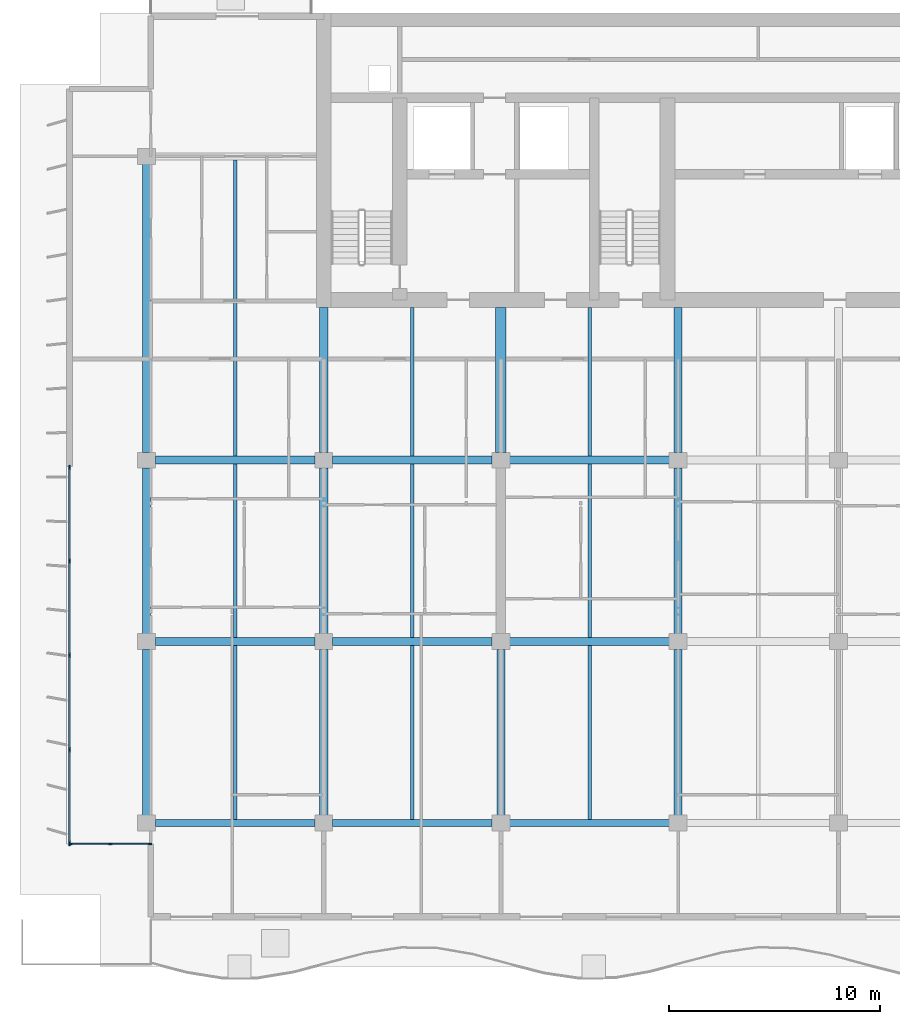
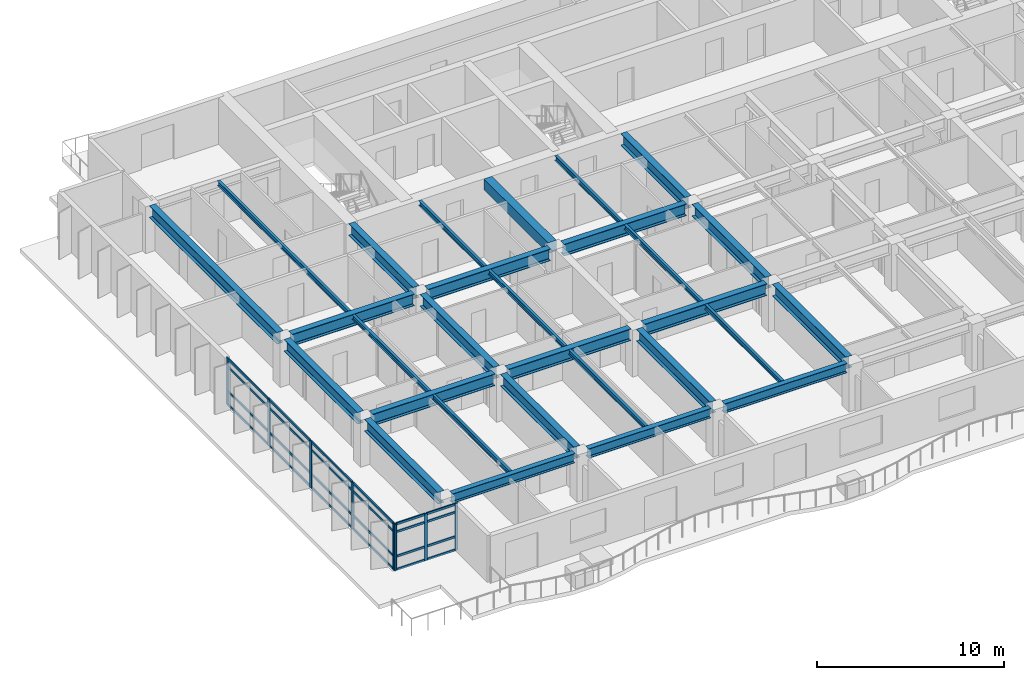
# One storey, part 2 of 17: 32 members, 29 beams, 2 elements without a shape of their own.
"""IFC4 building model written with IfcOpenShell, lengths in metres."""

from ifc_helpers import new_model, si_unit, direction, frame, origin, origin_2d, place, context, subcontext, project, spatial, rectangle, i_section, extrude, material, layer, layer_set, material_profile, profile_set, type_object, element, aggregate, save


model = new_model("IFC4")

# Units and contexts
model_context = context("Model", 3, precision=1e-05, world=origin(), true_north=direction((0.0, 1.0)))
body_context = subcontext(model_context, "Body", "Model", "MODEL_VIEW")
ifc_project = project(units=[si_unit("LENGTHUNIT", "METRE"), si_unit("AREAUNIT", "SQUARE_METRE"), si_unit("VOLUMEUNIT", "CUBIC_METRE"), si_unit("PLANEANGLEUNIT", "RADIAN"), si_unit("MASSUNIT", "GRAM", prefix="KILO")], contexts=[model_context])

# Site, building, storey
site_placement = place(None, origin())
site = spatial("IfcSite", under=ifc_project, at=site_placement, CompositionType="ELEMENT")
building_placement = place(site_placement, origin())
building = spatial("IfcBuilding", under=site, at=building_placement, Name="Caelmar Bay Residences", CompositionType="ELEMENT")
storey_placement = place(building_placement, frame((0.0, 0.0, 157.199951171875)))
storey = spatial("IfcBuildingStorey", under=building, at=storey_placement, Name="L43", CompositionType="ELEMENT", Elevation=157.199951171875)

# Beams
ifc_material_1 = material(Name="Steel ASTM A992 Grade 50", Category="steel")
ifc_material_profile_1 = material_profile(ifc_material_1, i_section(OverallWidth=0.381103515625, OverallDepth=0.77197265625, WebThickness=0.0166015625, FlangeThickness=0.027099609375, FilletRadius=0.0166015625, at=origin_2d()), Name="W30X173")
ifc_profile_set_1 = profile_set([ifc_material_profile_1], Name="Steel ASTM A992 Grade 50")
beam_type_1 = type_object("IfcBeamType", Name="BM-GRD-W30X173", PredefinedType="BEAM", material=ifc_profile_set_1)
beam_1_placement = place(storey_placement, frame((10.31494140625, 20.800048828125, 2.6640625), z_axis=(1.0, 0.0, 0.0), x_axis=(0.0, 1.0, 0.0)))
element("IfcBeam", 1, at=beam_1_placement, inside=storey, type_object=beam_type_1, Name="L43 East-West Girder Y=20.80 (9.9-18.3)", PredefinedType="BEAM", context=body_context, shape_type="SweptSolid", body=[
    extrude(i_section(OverallWidth=0.381103515625, OverallDepth=0.77197265625, WebThickness=0.0166015625, FlangeThickness=0.027099609375, FilletRadius=0.0166015625, at=origin_2d()), origin(), (0.0, 0.0, 1.0), 7.570068359375),
])
beam_2_placement = place(storey_placement, frame((18.715087890625, 20.800048828125, 2.6640625), z_axis=(1.0, 0.0, 0.0), x_axis=(0.0, 1.0, 0.0)))
element("IfcBeam", 2, at=beam_2_placement, inside=storey, type_object=beam_type_1, Name="L43 East-West Girder Y=20.80 (18.3-26.7)", PredefinedType="BEAM", context=body_context, shape_type="SweptSolid", body=[
    extrude(i_section(OverallWidth=0.381103515625, OverallDepth=0.77197265625, WebThickness=0.0166015625, FlangeThickness=0.027099609375, FilletRadius=0.0166015625, at=origin_2d()), origin(), (0.0, 0.0, 1.0), 7.56982421875),
])
for number, where, z_axis, x_axis, name in (
    (3, (27.114990234375, 20.800048828125, 2.6640625), (1.0, 0.0, 0.0), (0.0, 1.0, 0.0), "L43 East-West Girder Y=20.80 (26.7-35.1)"),
    (4, (10.31494140625, 29.39990234375, 2.6640625), (1.0, 0.0, 0.0), (0.0, 1.0, 0.0), "L43 East-West Girder Y=29.40 (9.9-18.3)"),
):
    element("IfcBeam", number, at=place(storey_placement, frame(where, z_axis=z_axis, x_axis=x_axis)), inside=storey, type_object=beam_type_1, Name=name, PredefinedType="BEAM", context=body_context, shape_type="SweptSolid", body=[
        extrude(i_section(OverallWidth=0.381103515625, OverallDepth=0.77197265625, WebThickness=0.0166015625, FlangeThickness=0.027099609375, FilletRadius=0.0166015625, at=origin_2d()), origin(), (0.0, 0.0, 1.0), 7.570068359375),
    ])
beam_3_placement = place(storey_placement, frame((18.715087890625, 29.39990234375, 2.6640625), z_axis=(1.0, 0.0, 0.0), x_axis=(0.0, 1.0, 0.0)))
element("IfcBeam", 5, at=beam_3_placement, inside=storey, type_object=beam_type_1, Name="L43 East-West Girder Y=29.40 (18.3-26.7)", PredefinedType="BEAM", context=body_context, shape_type="SweptSolid", body=[
    extrude(i_section(OverallWidth=0.381103515625, OverallDepth=0.77197265625, WebThickness=0.0166015625, FlangeThickness=0.027099609375, FilletRadius=0.0166015625, at=origin_2d()), origin(), (0.0, 0.0, 1.0), 7.56982421875),
])
beam_4_placement = place(storey_placement, frame((27.114990234375, 29.39990234375, 2.6640625), z_axis=(1.0, 0.0, 0.0), x_axis=(0.0, 1.0, 0.0)))
element("IfcBeam", 6, at=beam_4_placement, inside=storey, type_object=beam_type_1, Name="L43 East-West Girder Y=29.40 (26.7-35.1)", PredefinedType="BEAM", context=body_context, shape_type="SweptSolid", body=[
    extrude(i_section(OverallWidth=0.381103515625, OverallDepth=0.77197265625, WebThickness=0.0166015625, FlangeThickness=0.027099609375, FilletRadius=0.0166015625, at=origin_2d()), origin(), (0.0, 0.0, 1.0), 7.570068359375),
])
beam_5_placement = place(storey_placement, frame((9.89990234375, 12.56494140625, 2.6640625), z_axis=(0.0, 1.0, 0.0), x_axis=(-1.0, 0.0, 0.0)))
element("IfcBeam", 7, at=beam_5_placement, inside=storey, type_object=beam_type_1, Name="L43 North-South Girder X=9.90 (12.2-20.8)", PredefinedType="BEAM", context=body_context, shape_type="SweptSolid", body=[
    extrude(i_section(OverallWidth=0.381103515625, OverallDepth=0.77197265625, WebThickness=0.0166015625, FlangeThickness=0.027099609375, FilletRadius=0.0166015625, at=origin_2d()), origin(), (0.0, 0.0, 1.0), 7.8701171875),
])
beam_6_placement = place(storey_placement, frame((9.89990234375, 21.1650390625, 2.6640625), z_axis=(0.0, 1.0, 0.0), x_axis=(-1.0, 0.0, 0.0)))
element("IfcBeam", 8, at=beam_6_placement, inside=storey, type_object=beam_type_1, Name="L43 North-South Girder X=9.90 (20.8-29.4)", PredefinedType="BEAM", context=body_context, shape_type="SweptSolid", body=[
    extrude(i_section(OverallWidth=0.381103515625, OverallDepth=0.77197265625, WebThickness=0.0166015625, FlangeThickness=0.027099609375, FilletRadius=0.0166015625, at=origin_2d()), origin(), (0.0, 0.0, 1.0), 7.869873046875),
])
beam_7_placement = place(storey_placement, frame((9.89990234375, 29.764892578125, 2.6640625), z_axis=(0.0, 1.0, 0.0), x_axis=(-1.0, 0.0, 0.0)))
element("IfcBeam", 9, at=beam_7_placement, inside=storey, type_object=beam_type_1, Name="L43 North-South Girder X=9.90 (29.4-43.8)", PredefinedType="BEAM", context=body_context, shape_type="SweptSolid", body=[
    extrude(i_section(OverallWidth=0.381103515625, OverallDepth=0.77197265625, WebThickness=0.0166015625, FlangeThickness=0.027099609375, FilletRadius=0.0166015625, at=origin_2d()), origin(), (0.0, 0.0, 1.0), 13.670166015625),
])
beam_8_placement = place(storey_placement, frame((18.300048828125, 29.764892578125, 2.6640625), z_axis=(0.0, 1.0, 0.0), x_axis=(-1.0, 0.0, 0.0)))
element("IfcBeam", 10, at=beam_8_placement, inside=storey, type_object=beam_type_1, Name="L43 Core Tie Girder X=18.30", PredefinedType="BEAM", context=body_context, shape_type="SweptSolid", body=[
    extrude(i_section(OverallWidth=0.381103515625, OverallDepth=0.77197265625, WebThickness=0.0166015625, FlangeThickness=0.027099609375, FilletRadius=0.0166015625, at=origin_2d()), origin(), (0.0, 0.0, 1.0), 6.885009765625),
])
beam_9_placement = place(storey_placement, frame((18.300048828125, 12.56494140625, 2.6640625), z_axis=(0.0, 1.0, 0.0), x_axis=(-1.0, 0.0, 0.0)))
element("IfcBeam", 11, at=beam_9_placement, inside=storey, type_object=beam_type_1, Name="L43 North-South Girder X=18.30 (12.2-20.8)", PredefinedType="BEAM", context=body_context, shape_type="SweptSolid", body=[
    extrude(i_section(OverallWidth=0.381103515625, OverallDepth=0.77197265625, WebThickness=0.0166015625, FlangeThickness=0.027099609375, FilletRadius=0.0166015625, at=origin_2d()), origin(), (0.0, 0.0, 1.0), 7.8701171875),
])
beam_10_placement = place(storey_placement, frame((18.300048828125, 21.1650390625, 2.6640625), z_axis=(0.0, 1.0, 0.0), x_axis=(-1.0, 0.0, 0.0)))
element("IfcBeam", 12, at=beam_10_placement, inside=storey, type_object=beam_type_1, Name="L43 North-South Girder X=18.30 (20.8-29.4)", PredefinedType="BEAM", context=body_context, shape_type="SweptSolid", body=[
    extrude(i_section(OverallWidth=0.381103515625, OverallDepth=0.77197265625, WebThickness=0.0166015625, FlangeThickness=0.027099609375, FilletRadius=0.0166015625, at=origin_2d()), origin(), (0.0, 0.0, 1.0), 7.869873046875),
])
beam_11_placement = place(storey_placement, frame((26.699951171875, 12.56494140625, 2.6640625), z_axis=(0.0, 1.0, 0.0), x_axis=(-1.0, 0.0, 0.0)))
element("IfcBeam", 13, at=beam_11_placement, inside=storey, type_object=beam_type_1, Name="L43 North-South Girder X=26.70 (12.2-20.8)", PredefinedType="BEAM", context=body_context, shape_type="SweptSolid", body=[
    extrude(i_section(OverallWidth=0.381103515625, OverallDepth=0.77197265625, WebThickness=0.0166015625, FlangeThickness=0.027099609375, FilletRadius=0.0166015625, at=origin_2d()), origin(), (0.0, 0.0, 1.0), 7.8701171875),
])
beam_12_placement = place(storey_placement, frame((35.10009765625, 29.764892578125, 2.6640625), z_axis=(0.0, 1.0, 0.0), x_axis=(-1.0, 0.0, 0.0)))
element("IfcBeam", 14, at=beam_12_placement, inside=storey, type_object=beam_type_1, Name="L43 Core Tie Girder X=35.10", PredefinedType="BEAM", context=body_context, shape_type="SweptSolid", body=[
    extrude(i_section(OverallWidth=0.381103515625, OverallDepth=0.77197265625, WebThickness=0.0166015625, FlangeThickness=0.027099609375, FilletRadius=0.0166015625, at=origin_2d()), origin(), (0.0, 0.0, 1.0), 6.885009765625),
])
beam_13_placement = place(storey_placement, frame((35.10009765625, 12.56494140625, 2.6640625), z_axis=(0.0, 1.0, 0.0), x_axis=(-1.0, 0.0, 0.0)))
element("IfcBeam", 15, at=beam_13_placement, inside=storey, type_object=beam_type_1, Name="L43 North-South Girder X=35.10 (12.2-20.8)", PredefinedType="BEAM", context=body_context, shape_type="SweptSolid", body=[
    extrude(i_section(OverallWidth=0.381103515625, OverallDepth=0.77197265625, WebThickness=0.0166015625, FlangeThickness=0.027099609375, FilletRadius=0.0166015625, at=origin_2d()), origin(), (0.0, 0.0, 1.0), 7.8701171875),
])
beam_14_placement = place(storey_placement, frame((35.10009765625, 21.1650390625, 2.6640625), z_axis=(0.0, 1.0, 0.0), x_axis=(-1.0, 0.0, 0.0)))
element("IfcBeam", 16, at=beam_14_placement, inside=storey, type_object=beam_type_1, Name="L43 North-South Girder X=35.10 (20.8-29.4)", PredefinedType="BEAM", context=body_context, shape_type="SweptSolid", body=[
    extrude(i_section(OverallWidth=0.381103515625, OverallDepth=0.77197265625, WebThickness=0.0166015625, FlangeThickness=0.027099609375, FilletRadius=0.0166015625, at=origin_2d()), origin(), (0.0, 0.0, 1.0), 7.869873046875),
])
ifc_material_profile_2 = material_profile(ifc_material_1, i_section(OverallWidth=0.1650390625, OverallDepth=0.31005859375, WebThickness=0.005859375, FlangeThickness=0.009765625, FilletRadius=0.007568359375, at=origin_2d()), Name="W12X26")
ifc_profile_set_2 = profile_set([ifc_material_profile_2], Name="Steel ASTM A992 Grade 50")
beam_type_2 = type_object("IfcBeamType", Name="BM-JST-W12X26", PredefinedType="JOIST", material=ifc_profile_set_2)
for number, where, z_axis, x_axis, name in (
    (17, (14.10009765625, 12.362548828125, 2.89501953125), (0.0, 1.0, 0.0), (-1.0, 0.0, 0.0), "L43 Composite Floor Joist 1"),
    (18, (22.5, 12.362548828125, 2.89501953125), (0.0, 1.0, 0.0), (-1.0, 0.0, 0.0), "L43 Composite Floor Joist 2"),
    (19, (30.89990234375, 12.362548828125, 2.89501953125), (0.0, 1.0, 0.0), (-1.0, 0.0, 0.0), "L43 Composite Floor Joist 3"),
):
    element("IfcBeam", number, at=place(storey_placement, frame(where, z_axis=z_axis, x_axis=x_axis)), inside=storey, type_object=beam_type_2, Name=name, PredefinedType="JOIST", context=body_context, shape_type="SweptSolid", body=[
        extrude(i_section(OverallWidth=0.1650390625, OverallDepth=0.31005859375, WebThickness=0.005859375, FlangeThickness=0.009765625, FilletRadius=0.007568359375, at=origin_2d()), origin(), (0.0, 0.0, 1.0), 8.2470703125),
    ])
for number, where, z_axis, x_axis, name in (
    (20, (14.10009765625, 20.990478515625, 2.89501953125), (0.0, 1.0, 0.0), (-1.0, 0.0, 0.0), "L43 Composite Floor Joist 8"),
    (21, (22.5, 20.990478515625, 2.89501953125), (0.0, 1.0, 0.0), (-1.0, 0.0, 0.0), "L43 Composite Floor Joist 9"),
    (22, (30.89990234375, 20.990478515625, 2.89501953125), (0.0, 1.0, 0.0), (-1.0, 0.0, 0.0), "L43 Composite Floor Joist 10"),
):
    element("IfcBeam", number, at=place(storey_placement, frame(where, z_axis=z_axis, x_axis=x_axis)), inside=storey, type_object=beam_type_2, Name=name, PredefinedType="JOIST", context=body_context, shape_type="SweptSolid", body=[
        extrude(i_section(OverallWidth=0.1650390625, OverallDepth=0.31005859375, WebThickness=0.005859375, FlangeThickness=0.009765625, FilletRadius=0.007568359375, at=origin_2d()), origin(), (0.0, 0.0, 1.0), 8.218994140625),
    ])
for number, where, z_axis, x_axis, name in (
    (23, (22.5, 29.590576171875, 2.89501953125), (0.0, 1.0, 0.0), (-1.0, 0.0, 0.0), "L43 Core-Band Composite Joist 15"),
    (24, (30.89990234375, 29.590576171875, 2.89501953125), (0.0, 1.0, 0.0), (-1.0, 0.0, 0.0), "L43 Core-Band Composite Joist 16"),
):
    element("IfcBeam", number, at=place(storey_placement, frame(where, z_axis=z_axis, x_axis=x_axis)), inside=storey, type_object=beam_type_2, Name=name, PredefinedType="JOIST", context=body_context, shape_type="SweptSolid", body=[
        extrude(i_section(OverallWidth=0.1650390625, OverallDepth=0.31005859375, WebThickness=0.005859375, FlangeThickness=0.009765625, FilletRadius=0.007568359375, at=origin_2d()), origin(), (0.0, 0.0, 1.0), 7.059326171875),
    ])
beam_15_placement = place(storey_placement, frame((14.10009765625, 29.590576171875, 2.89501953125), z_axis=(0.0, 1.0, 0.0), x_axis=(-1.0, 0.0, 0.0)))
element("IfcBeam", 25, at=beam_15_placement, inside=storey, type_object=beam_type_2, Name="L43 Composite Floor Joist 20", PredefinedType="JOIST", context=body_context, shape_type="SweptSolid", body=[
    extrude(i_section(OverallWidth=0.1650390625, OverallDepth=0.31005859375, WebThickness=0.005859375, FlangeThickness=0.009765625, FilletRadius=0.007568359375, at=origin_2d()), origin(), (0.0, 0.0, 1.0), 14.046875),
])
ifc_material_2 = material(Name="Concrete f'c 55 MPa (8,000 psi)", Category="concrete")
ifc_material_profile_3 = material_profile(ifc_material_2, rectangle(XDim=0.5, YDim=0.699951171875, at=origin_2d()), Name="RC-BM-500X700")
ifc_profile_set_3 = profile_set([ifc_material_profile_3], Name="Concrete f'c 55 MPa (8,000 psi)")
beam_type_3 = type_object("IfcBeamType", Name="BM-RC-500X700", PredefinedType="LINTEL", material=ifc_profile_set_3)
beam_16_placement = place(storey_placement, frame((26.699951171875, 29.764892578125, 2.699951171875), z_axis=(0.0, 1.0, 0.0), x_axis=(-1.0, 0.0, 0.0)))
element("IfcBeam", 26, at=beam_16_placement, inside=storey, type_object=beam_type_3, Name="L43 Shear-Wall Corridor Coupling Lintel W5", PredefinedType="LINTEL", context=body_context, shape_type="SweptSolid", body=[
    extrude(rectangle(XDim=0.5, YDim=0.699951171875, at=origin_2d()), origin(), (0.0, 0.0, 1.0), 6.885009765625),
])
ifc_material_profile_4 = material_profile(ifc_material_1, i_section(OverallWidth=0.324951171875, OverallDepth=0.616943359375, WebThickness=0.013916015625, FlangeThickness=0.021484375, FilletRadius=0.0126953125, at=origin_2d()), Name="W24X117")
ifc_profile_set_4 = profile_set([ifc_material_profile_4], Name="Steel ASTM A992 Grade 50")
beam_type_4 = type_object("IfcBeamType", Name="BM-SPN-W24X117", PredefinedType="SPANDREL", material=ifc_profile_set_4)
beam_17_placement = place(storey_placement, frame((10.31494140625, 12.199951171875, 2.741455078125), z_axis=(1.0, 0.0, 0.0), x_axis=(0.0, 1.0, 0.0)))
element("IfcBeam", 27, at=beam_17_placement, inside=storey, type_object=beam_type_4, Name="L43 East-West Girder Y=12.20 (9.9-18.3)", PredefinedType="SPANDREL", context=body_context, shape_type="SweptSolid", body=[
    extrude(i_section(OverallWidth=0.324951171875, OverallDepth=0.616943359375, WebThickness=0.013916015625, FlangeThickness=0.021484375, FilletRadius=0.0126953125, at=origin_2d()), origin(), (0.0, 0.0, 1.0), 7.570068359375),
])
beam_18_placement = place(storey_placement, frame((18.715087890625, 12.199951171875, 2.741455078125), z_axis=(1.0, 0.0, 0.0), x_axis=(0.0, 1.0, 0.0)))
element("IfcBeam", 28, at=beam_18_placement, inside=storey, type_object=beam_type_4, Name="L43 East-West Girder Y=12.20 (18.3-26.7)", PredefinedType="SPANDREL", context=body_context, shape_type="SweptSolid", body=[
    extrude(i_section(OverallWidth=0.324951171875, OverallDepth=0.616943359375, WebThickness=0.013916015625, FlangeThickness=0.021484375, FilletRadius=0.0126953125, at=origin_2d()), origin(), (0.0, 0.0, 1.0), 7.56982421875),
])
beam_19_placement = place(storey_placement, frame((27.114990234375, 12.199951171875, 2.741455078125), z_axis=(1.0, 0.0, 0.0), x_axis=(0.0, 1.0, 0.0)))
element("IfcBeam", 29, at=beam_19_placement, inside=storey, type_object=beam_type_4, Name="L43 East-West Girder Y=12.20 (26.7-35.1)", PredefinedType="SPANDREL", context=body_context, shape_type="SweptSolid", body=[
    extrude(i_section(OverallWidth=0.324951171875, OverallDepth=0.616943359375, WebThickness=0.013916015625, FlangeThickness=0.021484375, FilletRadius=0.0126953125, at=origin_2d()), origin(), (0.0, 0.0, 1.0), 7.570068359375),
])

# Curtain wall, members
ifc_material_3 = material(Name="Anodised bronze aluminium 6063-T6 and laminated glass", Category="aluminium")
ifc_layer_1 = layer(ifc_material_3, 0.179931640625)
ifc_layer_set_1 = layer_set([ifc_layer_1], Name="Anodised bronze aluminium 6063-T6 and laminated glass")
curtain_wall_type_1 = type_object("IfcCurtainWallType", Name="CW6-NTC", PredefinedType="NOTDEFINED", material=ifc_layer_set_1)
curtain_wall_1_placement = place(storey_placement, origin())
curtain_wall_1 = element("IfcCurtainWall", 30, at=curtain_wall_1_placement, inside=storey, type_object=curtain_wall_type_1, Name="CW6 curtain wall L43", PredefinedType="NOTDEFINED")
ifc_material_4 = material(Name="Anodised bronze aluminium 6063-T6", Category="aluminium")
ifc_material_profile_5 = material_profile(ifc_material_4, rectangle(XDim=0.080078125, YDim=0.179931640625, at=origin_2d()), Name="CWM-80X180")
ifc_profile_set_5 = profile_set([ifc_material_profile_5], Name="Anodised bronze aluminium 6063-T6")
member_type_1 = type_object("IfcMemberType", Name="CWM-180", PredefinedType="MULLION", material=ifc_profile_set_5)
member_1_placement = place(storey_placement, frame((6.2900390625, 11.199951171875, 0.0), z_axis=(0.0, 0.0, 1.0), x_axis=(0.0, 1.0, 0.0)))
member_1 = element("IfcMember", 31, at=member_1_placement, type_object=member_type_1, Name="CW6 mullion 1", PredefinedType="MULLION", context=body_context, shape_type="SweptSolid", body=[
    extrude(rectangle(XDim=0.080078125, YDim=0.179931640625, at=origin_2d()), origin(), (0.0, 0.0, 1.0), 3.050048828125),
])
member_2_placement = place(storey_placement, frame((8.175048828125, 11.199951171875, 0.0), z_axis=(0.0, 0.0, 1.0), x_axis=(0.0, 1.0, 0.0)))
member_2 = element("IfcMember", 32, at=member_2_placement, type_object=member_type_1, Name="CW6 mullion 2", PredefinedType="MULLION", context=body_context, shape_type="SweptSolid", body=[
    extrude(rectangle(XDim=0.080078125, YDim=0.179931640625, at=origin_2d()), origin(), (0.0, 0.0, 1.0), 3.050048828125),
])
member_3_placement = place(storey_placement, frame((10.06005859375, 11.199951171875, 0.0), z_axis=(0.0, 0.0, 1.0), x_axis=(0.0, 1.0, 0.0)))
member_3 = element("IfcMember", 33, at=member_3_placement, type_object=member_type_1, Name="CW6 mullion 3", PredefinedType="MULLION", context=body_context, shape_type="SweptSolid", body=[
    extrude(rectangle(XDim=0.080078125, YDim=0.179931640625, at=origin_2d()), origin(), (0.0, 0.0, 1.0), 3.050048828125),
])

ifc_layer_2 = layer(ifc_material_3, 0.179931640625)
ifc_layer_set_2 = layer_set([ifc_layer_2], Name="Anodised bronze aluminium 6063-T6 and laminated glass")
curtain_wall_type_2 = type_object("IfcCurtainWallType", Name="CW4-Z3", PredefinedType="NOTDEFINED", material=ifc_layer_set_2)
curtain_wall_2_placement = place(storey_placement, origin())
curtain_wall_2 = element("IfcCurtainWall", 34, at=curtain_wall_2_placement, inside=storey, type_object=curtain_wall_type_2, Name="CW4 curtain wall L43", PredefinedType="NOTDEFINED")
ifc_material_profile_6 = material_profile(ifc_material_4, rectangle(XDim=0.080078125, YDim=0.219970703125, at=origin_2d()), Name="CWM-80X220")
ifc_profile_set_6 = profile_set([ifc_material_profile_6], Name="Anodised bronze aluminium 6063-T6")
member_type_2 = type_object("IfcMemberType", Name="CWM-220", PredefinedType="MULLION", material=ifc_profile_set_6)
member_4_placement = place(storey_placement, frame((6.25, 11.239990234375, 0.0), z_axis=(0.0, 0.0, 1.0), x_axis=(-1.0, 0.0, 0.0)))
member_4 = element("IfcMember", 35, at=member_4_placement, type_object=member_type_2, Name="CW4 mullion 1", PredefinedType="MULLION", context=body_context, shape_type="SweptSolid", body=[
    extrude(rectangle(XDim=0.080078125, YDim=0.219970703125, at=origin_2d()), origin(), (0.0, 0.0, 1.0), 3.050048828125),
])
member_5_placement = place(storey_placement, frame((6.25, 15.675048828125, 0.0), z_axis=(0.0, 0.0, 1.0), x_axis=(-1.0, 0.0, 0.0)))
member_5 = element("IfcMember", 36, at=member_5_placement, type_object=member_type_2, Name="CW4 mullion 2", PredefinedType="MULLION", context=body_context, shape_type="SweptSolid", body=[
    extrude(rectangle(XDim=0.080078125, YDim=0.219970703125, at=origin_2d()), origin(), (0.0, 0.0, 1.0), 3.050048828125),
])
member_6_placement = place(storey_placement, frame((6.25, 20.14990234375, 0.0), z_axis=(0.0, 0.0, 1.0), x_axis=(-1.0, 0.0, 0.0)))
member_6 = element("IfcMember", 37, at=member_6_placement, type_object=member_type_2, Name="CW4 mullion 3", PredefinedType="MULLION", context=body_context, shape_type="SweptSolid", body=[
    extrude(rectangle(XDim=0.080078125, YDim=0.219970703125, at=origin_2d()), origin(), (0.0, 0.0, 1.0), 3.050048828125),
])
member_7_placement = place(storey_placement, frame((6.25, 24.625, 0.0), z_axis=(0.0, 0.0, 1.0), x_axis=(-1.0, 0.0, 0.0)))
member_7 = element("IfcMember", 38, at=member_7_placement, type_object=member_type_2, Name="CW4 mullion 4", PredefinedType="MULLION", context=body_context, shape_type="SweptSolid", body=[
    extrude(rectangle(XDim=0.080078125, YDim=0.219970703125, at=origin_2d()), origin(), (0.0, 0.0, 1.0), 3.050048828125),
])
member_8_placement = place(storey_placement, frame((6.25, 29.06005859375, 0.0), z_axis=(0.0, 0.0, 1.0), x_axis=(-1.0, 0.0, 0.0)))
member_8 = element("IfcMember", 39, at=member_8_placement, type_object=member_type_2, Name="CW4 mullion 5", PredefinedType="MULLION", context=body_context, shape_type="SweptSolid", body=[
    extrude(rectangle(XDim=0.080078125, YDim=0.219970703125, at=origin_2d()), origin(), (0.0, 0.0, 1.0), 3.050048828125),
])

# Member
ifc_material_profile_7 = material_profile(ifc_material_4, rectangle(XDim=0.080078125, YDim=0.139892578125, at=origin_2d()), Name="CWT-80X140")
ifc_profile_set_7 = profile_set([ifc_material_profile_7], Name="Anodised bronze aluminium 6063-T6")
member_type_3 = type_object("IfcMemberType", Name="CWT-140", PredefinedType="NOTDEFINED", material=ifc_profile_set_7)
member_9_placement = place(storey_placement, frame((6.330078125, 11.199951171875, 0.0400390625), z_axis=(1.0, 0.0, 0.0), x_axis=(0.0, 1.0, 0.0)))
member_9 = element("IfcMember", 40, at=member_9_placement, type_object=member_type_3, Name="CW6 transom 1.1", ObjectType="TRANSOM", PredefinedType="USERDEFINED", context=body_context, shape_type="SweptSolid", body=[
    extrude(rectangle(XDim=0.080078125, YDim=0.139892578125, at=origin_2d()), origin(), (0.0, 0.0, 1.0), 1.804931640625),
])

member_10_placement = place(storey_placement, frame((6.330078125, 11.199951171875, 0.900146484375), z_axis=(1.0, 0.0, 0.0), x_axis=(0.0, 1.0, 0.0)))
member_10 = element("IfcMember", 41, at=member_10_placement, type_object=member_type_3, Name="CW6 transom 1.2", ObjectType="TRANSOM", PredefinedType="USERDEFINED", context=body_context, shape_type="SweptSolid", body=[
    extrude(rectangle(XDim=0.080078125, YDim=0.139892578125, at=origin_2d()), origin(), (0.0, 0.0, 1.0), 1.804931640625),
])

member_11_placement = place(storey_placement, frame((6.330078125, 11.199951171875, 2.5), z_axis=(1.0, 0.0, 0.0), x_axis=(0.0, 1.0, 0.0)))
member_11 = element("IfcMember", 42, at=member_11_placement, type_object=member_type_3, Name="CW6 transom 1.3", ObjectType="TRANSOM", PredefinedType="USERDEFINED", context=body_context, shape_type="SweptSolid", body=[
    extrude(rectangle(XDim=0.080078125, YDim=0.139892578125, at=origin_2d()), origin(), (0.0, 0.0, 1.0), 1.804931640625),
])

member_12_placement = place(storey_placement, frame((6.330078125, 11.199951171875, 3.010009765625), z_axis=(1.0, 0.0, 0.0), x_axis=(0.0, 1.0, 0.0)))
member_12 = element("IfcMember", 43, at=member_12_placement, type_object=member_type_3, Name="CW6 transom 1.4", ObjectType="TRANSOM", PredefinedType="USERDEFINED", context=body_context, shape_type="SweptSolid", body=[
    extrude(rectangle(XDim=0.080078125, YDim=0.139892578125, at=origin_2d()), origin(), (0.0, 0.0, 1.0), 1.804931640625),
])

member_13_placement = place(storey_placement, frame((8.215087890625, 11.199951171875, 0.0400390625), z_axis=(1.0, 0.0, 0.0), x_axis=(0.0, 1.0, 0.0)))
member_13 = element("IfcMember", 44, at=member_13_placement, type_object=member_type_3, Name="CW6 transom 2.1", ObjectType="TRANSOM", PredefinedType="USERDEFINED", context=body_context, shape_type="SweptSolid", body=[
    extrude(rectangle(XDim=0.080078125, YDim=0.139892578125, at=origin_2d()), origin(), (0.0, 0.0, 1.0), 1.804931640625),
])

member_14_placement = place(storey_placement, frame((8.215087890625, 11.199951171875, 0.900146484375), z_axis=(1.0, 0.0, 0.0), x_axis=(0.0, 1.0, 0.0)))
member_14 = element("IfcMember", 45, at=member_14_placement, type_object=member_type_3, Name="CW6 transom 2.2", ObjectType="TRANSOM", PredefinedType="USERDEFINED", context=body_context, shape_type="SweptSolid", body=[
    extrude(rectangle(XDim=0.080078125, YDim=0.139892578125, at=origin_2d()), origin(), (0.0, 0.0, 1.0), 1.804931640625),
])

member_15_placement = place(storey_placement, frame((8.215087890625, 11.199951171875, 2.5), z_axis=(1.0, 0.0, 0.0), x_axis=(0.0, 1.0, 0.0)))
member_15 = element("IfcMember", 46, at=member_15_placement, type_object=member_type_3, Name="CW6 transom 2.3", ObjectType="TRANSOM", PredefinedType="USERDEFINED", context=body_context, shape_type="SweptSolid", body=[
    extrude(rectangle(XDim=0.080078125, YDim=0.139892578125, at=origin_2d()), origin(), (0.0, 0.0, 1.0), 1.804931640625),
])

member_16_placement = place(storey_placement, frame((8.215087890625, 11.199951171875, 3.010009765625), z_axis=(1.0, 0.0, 0.0), x_axis=(0.0, 1.0, 0.0)))
member_16 = element("IfcMember", 47, at=member_16_placement, type_object=member_type_3, Name="CW6 transom 2.4", ObjectType="TRANSOM", PredefinedType="USERDEFINED", context=body_context, shape_type="SweptSolid", body=[
    extrude(rectangle(XDim=0.080078125, YDim=0.139892578125, at=origin_2d()), origin(), (0.0, 0.0, 1.0), 1.804931640625),
])

aggregate(curtain_wall_1, [member_1, member_2, member_3, member_9, member_10, member_11, member_12, member_13, member_14, member_15, member_16])

member_17_placement = place(storey_placement, frame((6.25, 11.280029296875, 0.0400390625), z_axis=(0.0, 1.0, 0.0), x_axis=(-1.0, 0.0, 0.0)))
member_17 = element("IfcMember", 48, at=member_17_placement, type_object=member_type_3, Name="CW4 transom 1.1", ObjectType="TRANSOM", PredefinedType="USERDEFINED", context=body_context, shape_type="SweptSolid", body=[
    extrude(rectangle(XDim=0.080078125, YDim=0.139892578125, at=origin_2d()), origin(), (0.0, 0.0, 1.0), 4.35498046875),
])

member_18_placement = place(storey_placement, frame((6.25, 11.280029296875, 0.900146484375), z_axis=(0.0, 1.0, 0.0), x_axis=(-1.0, 0.0, 0.0)))
member_18 = element("IfcMember", 49, at=member_18_placement, type_object=member_type_3, Name="CW4 transom 1.2", ObjectType="TRANSOM", PredefinedType="USERDEFINED", context=body_context, shape_type="SweptSolid", body=[
    extrude(rectangle(XDim=0.080078125, YDim=0.139892578125, at=origin_2d()), origin(), (0.0, 0.0, 1.0), 4.35498046875),
])

member_19_placement = place(storey_placement, frame((6.25, 11.280029296875, 2.5), z_axis=(0.0, 1.0, 0.0), x_axis=(-1.0, 0.0, 0.0)))
member_19 = element("IfcMember", 50, at=member_19_placement, type_object=member_type_3, Name="CW4 transom 1.3", ObjectType="TRANSOM", PredefinedType="USERDEFINED", context=body_context, shape_type="SweptSolid", body=[
    extrude(rectangle(XDim=0.080078125, YDim=0.139892578125, at=origin_2d()), origin(), (0.0, 0.0, 1.0), 4.35498046875),
])

member_20_placement = place(storey_placement, frame((6.25, 11.280029296875, 3.010009765625), z_axis=(0.0, 1.0, 0.0), x_axis=(-1.0, 0.0, 0.0)))
member_20 = element("IfcMember", 51, at=member_20_placement, type_object=member_type_3, Name="CW4 transom 1.4", ObjectType="TRANSOM", PredefinedType="USERDEFINED", context=body_context, shape_type="SweptSolid", body=[
    extrude(rectangle(XDim=0.080078125, YDim=0.139892578125, at=origin_2d()), origin(), (0.0, 0.0, 1.0), 4.35498046875),
])

member_21_placement = place(storey_placement, frame((6.25, 15.715087890625, 0.0400390625), z_axis=(0.0, 1.0, 0.0), x_axis=(-1.0, 0.0, 0.0)))
member_21 = element("IfcMember", 52, at=member_21_placement, type_object=member_type_3, Name="CW4 transom 2.1", ObjectType="TRANSOM", PredefinedType="USERDEFINED", context=body_context, shape_type="SweptSolid", body=[
    extrude(rectangle(XDim=0.080078125, YDim=0.139892578125, at=origin_2d()), origin(), (0.0, 0.0, 1.0), 4.39501953125),
])

member_22_placement = place(storey_placement, frame((6.25, 15.715087890625, 0.900146484375), z_axis=(0.0, 1.0, 0.0), x_axis=(-1.0, 0.0, 0.0)))
member_22 = element("IfcMember", 53, at=member_22_placement, type_object=member_type_3, Name="CW4 transom 2.2", ObjectType="TRANSOM", PredefinedType="USERDEFINED", context=body_context, shape_type="SweptSolid", body=[
    extrude(rectangle(XDim=0.080078125, YDim=0.139892578125, at=origin_2d()), origin(), (0.0, 0.0, 1.0), 4.39501953125),
])

member_23_placement = place(storey_placement, frame((6.25, 15.715087890625, 2.5), z_axis=(0.0, 1.0, 0.0), x_axis=(-1.0, 0.0, 0.0)))
member_23 = element("IfcMember", 54, at=member_23_placement, type_object=member_type_3, Name="CW4 transom 2.3", ObjectType="TRANSOM", PredefinedType="USERDEFINED", context=body_context, shape_type="SweptSolid", body=[
    extrude(rectangle(XDim=0.080078125, YDim=0.139892578125, at=origin_2d()), origin(), (0.0, 0.0, 1.0), 4.39501953125),
])

member_24_placement = place(storey_placement, frame((6.25, 15.715087890625, 3.010009765625), z_axis=(0.0, 1.0, 0.0), x_axis=(-1.0, 0.0, 0.0)))
member_24 = element("IfcMember", 55, at=member_24_placement, type_object=member_type_3, Name="CW4 transom 2.4", ObjectType="TRANSOM", PredefinedType="USERDEFINED", context=body_context, shape_type="SweptSolid", body=[
    extrude(rectangle(XDim=0.080078125, YDim=0.139892578125, at=origin_2d()), origin(), (0.0, 0.0, 1.0), 4.39501953125),
])

member_25_placement = place(storey_placement, frame((6.25, 20.18994140625, 0.0400390625), z_axis=(0.0, 1.0, 0.0), x_axis=(-1.0, 0.0, 0.0)))
member_25 = element("IfcMember", 56, at=member_25_placement, type_object=member_type_3, Name="CW4 transom 3.1", ObjectType="TRANSOM", PredefinedType="USERDEFINED", context=body_context, shape_type="SweptSolid", body=[
    extrude(rectangle(XDim=0.080078125, YDim=0.139892578125, at=origin_2d()), origin(), (0.0, 0.0, 1.0), 4.39501953125),
])

member_26_placement = place(storey_placement, frame((6.25, 20.18994140625, 0.900146484375), z_axis=(0.0, 1.0, 0.0), x_axis=(-1.0, 0.0, 0.0)))
member_26 = element("IfcMember", 57, at=member_26_placement, type_object=member_type_3, Name="CW4 transom 3.2", ObjectType="TRANSOM", PredefinedType="USERDEFINED", context=body_context, shape_type="SweptSolid", body=[
    extrude(rectangle(XDim=0.080078125, YDim=0.139892578125, at=origin_2d()), origin(), (0.0, 0.0, 1.0), 4.39501953125),
])

member_27_placement = place(storey_placement, frame((6.25, 20.18994140625, 2.5), z_axis=(0.0, 1.0, 0.0), x_axis=(-1.0, 0.0, 0.0)))
member_27 = element("IfcMember", 58, at=member_27_placement, type_object=member_type_3, Name="CW4 transom 3.3", ObjectType="TRANSOM", PredefinedType="USERDEFINED", context=body_context, shape_type="SweptSolid", body=[
    extrude(rectangle(XDim=0.080078125, YDim=0.139892578125, at=origin_2d()), origin(), (0.0, 0.0, 1.0), 4.39501953125),
])

member_28_placement = place(storey_placement, frame((6.25, 20.18994140625, 3.010009765625), z_axis=(0.0, 1.0, 0.0), x_axis=(-1.0, 0.0, 0.0)))
member_28 = element("IfcMember", 59, at=member_28_placement, type_object=member_type_3, Name="CW4 transom 3.4", ObjectType="TRANSOM", PredefinedType="USERDEFINED", context=body_context, shape_type="SweptSolid", body=[
    extrude(rectangle(XDim=0.080078125, YDim=0.139892578125, at=origin_2d()), origin(), (0.0, 0.0, 1.0), 4.39501953125),
])

member_29_placement = place(storey_placement, frame((6.25, 24.6650390625, 0.0400390625), z_axis=(0.0, 1.0, 0.0), x_axis=(-1.0, 0.0, 0.0)))
member_29 = element("IfcMember", 60, at=member_29_placement, type_object=member_type_3, Name="CW4 transom 4.1", ObjectType="TRANSOM", PredefinedType="USERDEFINED", context=body_context, shape_type="SweptSolid", body=[
    extrude(rectangle(XDim=0.080078125, YDim=0.139892578125, at=origin_2d()), origin(), (0.0, 0.0, 1.0), 4.35498046875),
])

member_30_placement = place(storey_placement, frame((6.25, 24.6650390625, 0.900146484375), z_axis=(0.0, 1.0, 0.0), x_axis=(-1.0, 0.0, 0.0)))
member_30 = element("IfcMember", 61, at=member_30_placement, type_object=member_type_3, Name="CW4 transom 4.2", ObjectType="TRANSOM", PredefinedType="USERDEFINED", context=body_context, shape_type="SweptSolid", body=[
    extrude(rectangle(XDim=0.080078125, YDim=0.139892578125, at=origin_2d()), origin(), (0.0, 0.0, 1.0), 4.35498046875),
])

member_31_placement = place(storey_placement, frame((6.25, 24.6650390625, 2.5), z_axis=(0.0, 1.0, 0.0), x_axis=(-1.0, 0.0, 0.0)))
member_31 = element("IfcMember", 62, at=member_31_placement, type_object=member_type_3, Name="CW4 transom 4.3", ObjectType="TRANSOM", PredefinedType="USERDEFINED", context=body_context, shape_type="SweptSolid", body=[
    extrude(rectangle(XDim=0.080078125, YDim=0.139892578125, at=origin_2d()), origin(), (0.0, 0.0, 1.0), 4.35498046875),
])

member_32_placement = place(storey_placement, frame((6.25, 24.6650390625, 3.010009765625), z_axis=(0.0, 1.0, 0.0), x_axis=(-1.0, 0.0, 0.0)))
member_32 = element("IfcMember", 63, at=member_32_placement, type_object=member_type_3, Name="CW4 transom 4.4", ObjectType="TRANSOM", PredefinedType="USERDEFINED", context=body_context, shape_type="SweptSolid", body=[
    extrude(rectangle(XDim=0.080078125, YDim=0.139892578125, at=origin_2d()), origin(), (0.0, 0.0, 1.0), 4.35498046875),
])

aggregate(curtain_wall_2, [member_4, member_5, member_6, member_7, member_8, member_17, member_18, member_19, member_20, member_21, member_22, member_23, member_24, member_25, member_26, member_27, member_28, member_29, member_30, member_31, member_32])

save(model, "model.ifc")
